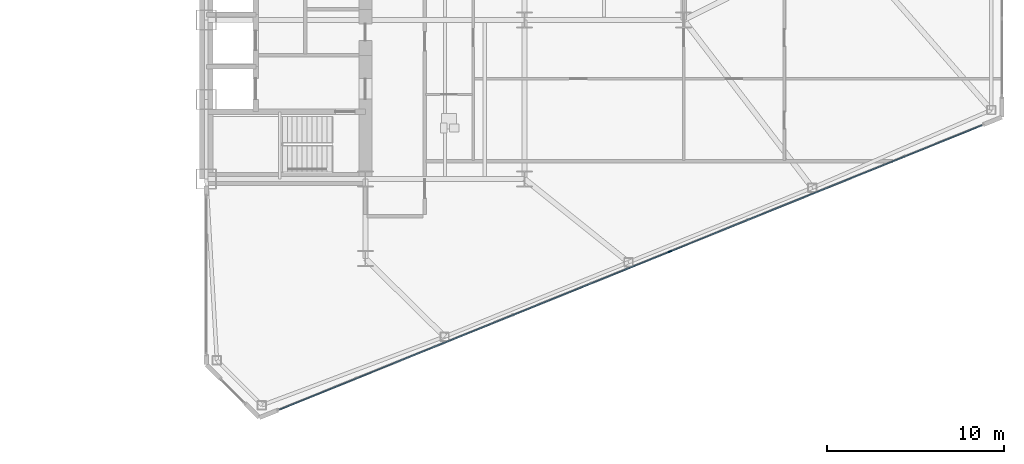
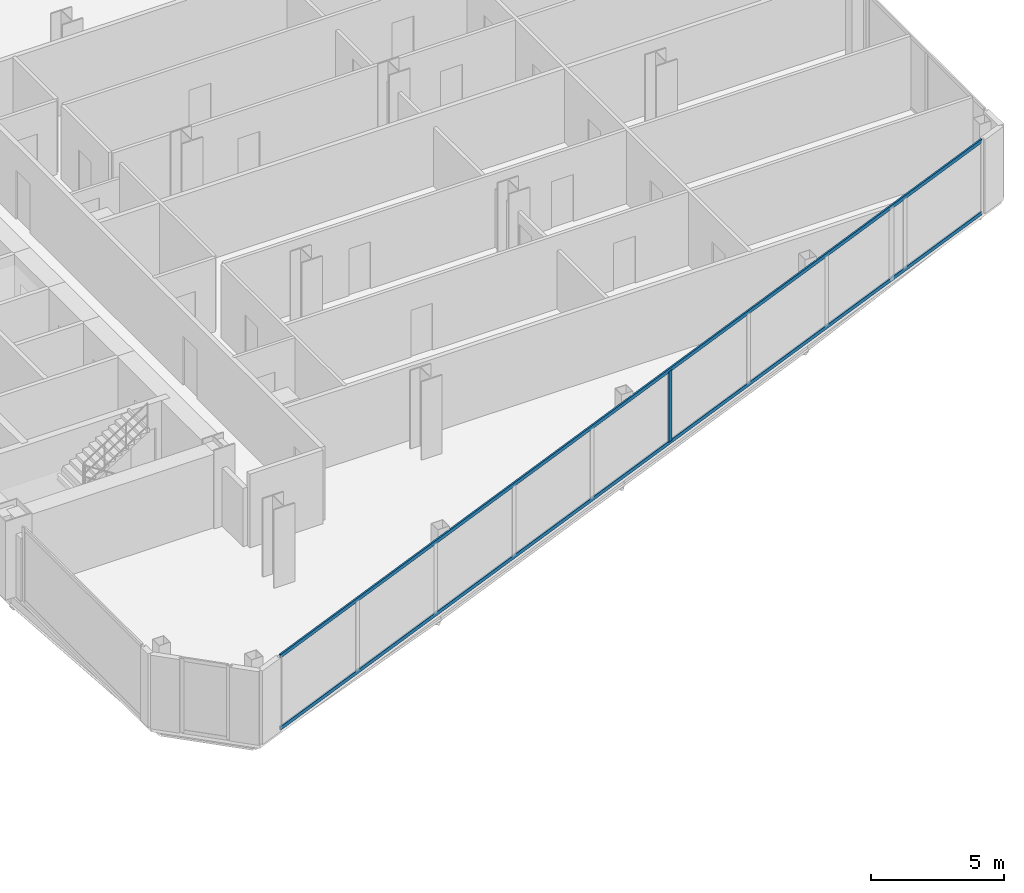
# One storey, part 10 of 25: 3 members, 1 element without a shape of its own.
"""IFC4 building model written with IfcOpenShell, lengths in metres."""

from ifc_helpers import new_model, si_unit, direction, frame, origin, origin_2d, place, context, subcontext, project, spatial, rectangle, extrude, source, transform, mapped, material, layer, layer_set, material_profile, profile_set, type_object, type_shapes, element, aggregate, save


model = new_model("IFC4")

# Units and contexts
model_context = context("Model", 3, precision=1e-05, world=origin(), true_north=direction((0.0, 1.0)))
body_context = subcontext(model_context, "Body", "Model", "MODEL_VIEW")
ifc_project = project(units=[si_unit("LENGTHUNIT", "METRE"), si_unit("AREAUNIT", "SQUARE_METRE"), si_unit("VOLUMEUNIT", "CUBIC_METRE"), si_unit("PLANEANGLEUNIT", "RADIAN"), si_unit("MASSUNIT", "GRAM", prefix="KILO")], contexts=[model_context])

# Site, building, storey
site_placement = place(None, origin())
site = spatial("IfcSite", under=ifc_project, at=site_placement, CompositionType="ELEMENT")
building_placement = place(site_placement, origin())
building = spatial("IfcBuilding", under=site, at=building_placement, Name="Seokmaru Belvedere", CompositionType="ELEMENT")
storey_placement = place(building_placement, frame((0.0, 0.0, 47.699951171875)))
storey = spatial("IfcBuildingStorey", under=building, at=storey_placement, Name="L12", CompositionType="ELEMENT", Elevation=47.699951171875)

# Curtain wall, members
ifc_material_1 = material(Name="Bronze Triple Insulating Glass", Category="glass")
ifc_layer = layer(ifc_material_1, 0.2099609375)
ifc_layer_set = layer_set([ifc_layer], Name="Bronze Triple Insulating Glass")
curtain_wall_type = type_object("IfcCurtainWallType", Name="Low-Rise Faceted Crystal Curtain Wall System CW-2", PredefinedType="NOTDEFINED", material=ifc_layer_set)
curtain_wall_placement = place(storey_placement, origin())
curtain_wall = element("IfcCurtainWall", 1, at=curtain_wall_placement, inside=storey, type_object=curtain_wall_type, Name="L12 Curtain Wall EF1", PredefinedType="NOTDEFINED")
ifc_material_2 = material(Name="Anodised Bronze Aluminium", Category="aluminium")
ifc_material_profile_1 = material_profile(ifc_material_2, rectangle(XDim=0.074951171875, YDim=0.2099609375, at=origin_2d()), Name="CW-M-75x210")
ifc_profile_set_1 = profile_set([ifc_material_profile_1], Name="Anodised Bronze Aluminium")
member_type_1 = type_object("IfcMemberType", Name="Bronze Unitised Mullion 75x210", PredefinedType="MULLION", material=ifc_profile_set_1)
shared_shape_1 = source(origin(), body_context, "Body", "SweptSolid", [
    extrude(rectangle(XDim=0.074951171875, YDim=0.2099609375, at=origin_2d()), origin(), (0.0, 0.0, 1.0), 3.239990234375),
])
type_shapes(member_type_1, [shared_shape_1])
member_1_placement = place(storey_placement, frame((53.71484375, -17.603515625, 0.070068359375), z_axis=(0.0, 0.0, 1.0), x_axis=(-0.375192321888, 0.926946989637, 0.0)))
member_1 = element("IfcMember", 2, at=member_1_placement, type_object=member_type_1, Name="CW:L12:EF1 Mullion 6", PredefinedType="MULLION", context=body_context, shape_type="MappedRepresentation", body=[
    mapped(shared_shape_1, transform((0.0, 0.0, 0.0), scale=1.0)),
])
ifc_material_profile_2 = material_profile(ifc_material_2, rectangle(XDim=0.070068359375, YDim=0.1650390625, at=origin_2d()), Name="CW-T-70x165")
ifc_profile_set_2 = profile_set([ifc_material_profile_2], Name="Anodised Bronze Aluminium")
member_type_2 = type_object("IfcMemberType", Name="Bronze Unitised Transom 70x165", PredefinedType="USERDEFINED", material=ifc_profile_set_2)
shared_shape_2 = source(origin(), body_context, "Body", "SweptSolid", [
    extrude(rectangle(XDim=0.070068359375, YDim=0.1650390625, at=origin_2d()), origin(), (0.0, 0.0, 1.0), 42.860107421875),
])
type_shapes(member_type_2, [shared_shape_2])
member_2_placement = place(storey_placement, frame((31.635498046875, -26.540283203125, 0.03515625), z_axis=(0.926948605599, 0.375188329481, 0.0), x_axis=(-0.375188329481, 0.926948605599, 0.0)))
member_2 = element("IfcMember", 3, at=member_2_placement, type_object=member_type_2, Name="CW:L12:EF1 Continuous Transom 1", ObjectType="TRANSOM", PredefinedType="USERDEFINED", context=body_context, shape_type="MappedRepresentation", body=[
    mapped(shared_shape_2, transform((0.0, 0.0, 0.0), scale=1.0)),
])
member_3_placement = place(storey_placement, frame((31.635498046875, -26.540283203125, 3.344970703125), z_axis=(0.926948605599, 0.375188329481, 0.0), x_axis=(-0.375188329481, 0.926948605599, 0.0)))
member_3 = element("IfcMember", 4, at=member_3_placement, type_object=member_type_2, Name="CW:L12:EF1 Continuous Transom 2", ObjectType="TRANSOM", PredefinedType="USERDEFINED", context=body_context, shape_type="MappedRepresentation", body=[
    mapped(shared_shape_2, transform((0.0, 0.0, 0.0), scale=1.0)),
])
aggregate(curtain_wall, [member_1, member_2, member_3])

save(model, "model.ifc")
